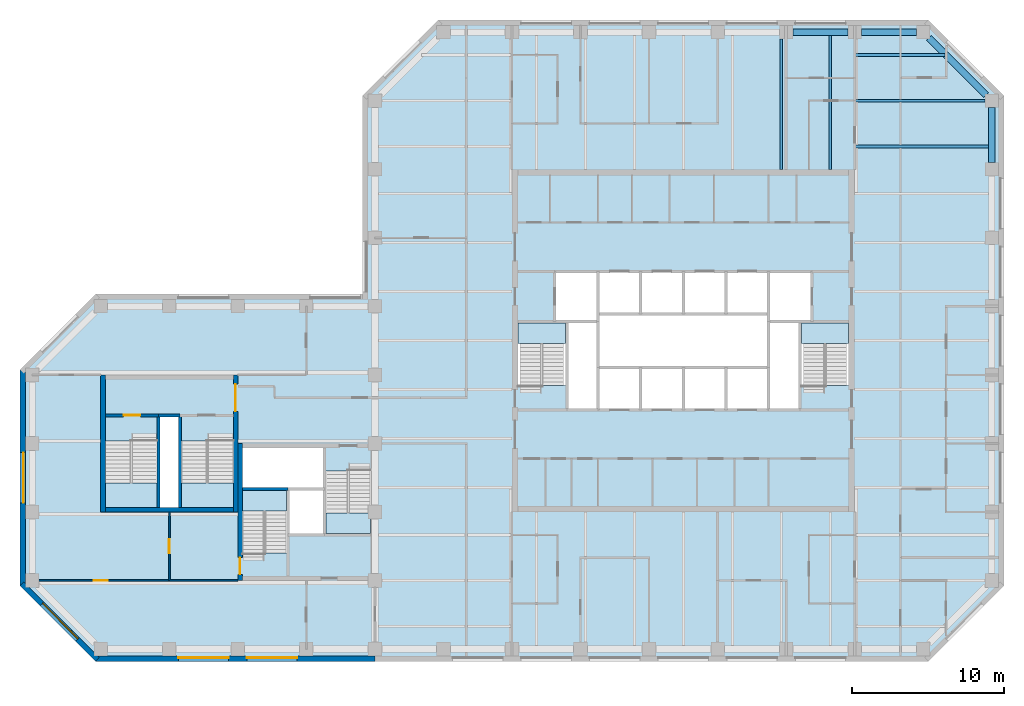
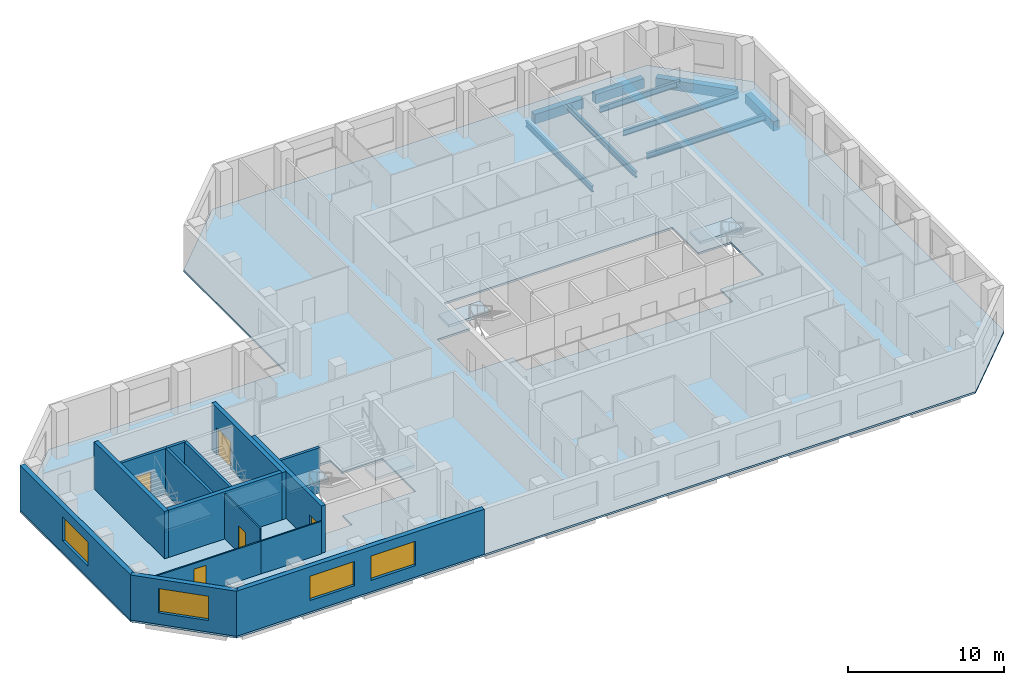
# One storey, part 2 of 9: 15 walls, 9 beams, 7 slabs, 5 doors, 4 windows, 9 openings, 6 elements without a shape of their own.
"""IFC4 building model written with IfcOpenShell, lengths in metres."""

from ifc_helpers import new_model, si_unit, direction, frame, frame_2d, origin, origin_2d, place, context, subcontext, project, spatial, polyline, rectangle, i_section, outline, extrude, material, layer, layer_set, constituent, constituent_set, material_profile, profile_set, type_object, element, fill, aggregate, save


model = new_model("IFC4")

# Units and contexts
model_context = context("Model", 3, precision=1e-05, world=origin(), true_north=direction((0.0, 1.0)))
body_context = subcontext(model_context, "Body", "Model", "MODEL_VIEW")
ifc_project = project(units=[si_unit("LENGTHUNIT", "METRE"), si_unit("AREAUNIT", "SQUARE_METRE"), si_unit("VOLUMEUNIT", "CUBIC_METRE"), si_unit("PLANEANGLEUNIT", "RADIAN"), si_unit("MASSUNIT", "GRAM", prefix="KILO")], contexts=[model_context])

# Site, building, storey
site_placement = place(None, origin())
site = spatial("IfcSite", under=ifc_project, at=site_placement, CompositionType="ELEMENT")
building_placement = place(site_placement, origin())
building = spatial("IfcBuilding", under=site, at=building_placement, Name="Quoin Convention Tower", CompositionType="ELEMENT")
storey_placement = place(building_placement, frame((0.0, 0.0, 166.199951171875)))
storey = spatial("IfcBuildingStorey", under=building, at=storey_placement, Name="L43", CompositionType="ELEMENT", Elevation=166.199951171875)

# Beams
ifc_material_1 = material(Name="Steel Grade 300", Category="steel")
ifc_material_profile_1 = material_profile(ifc_material_1, i_section(OverallWidth=0.18994140625, OverallDepth=0.4541015625, WebThickness=0.008544921875, FlangeThickness=0.0126953125, FilletRadius=0.011474609375, at=origin_2d()), Name="460UB67.1")
ifc_profile_set_1 = profile_set([ifc_material_profile_1], Name="Steel Grade 300")
beam_type_1 = type_object("IfcBeamType", Name="460UB67.1", PredefinedType="BEAM", material=ifc_profile_set_1)
beam_1_placement = place(storey_placement, frame((62.6787109375, 72.0, -0.376953125), z_axis=(0.0, 1.0, 0.0), x_axis=(-1.0, 0.0, 0.0)))
element("IfcBeam", 1, at=beam_1_placement, inside=storey, type_object=beam_type_1, Name="bm-L43-T1N5", PredefinedType="BEAM", context=body_context, shape_type="SweptSolid", body=[
    extrude(i_section(OverallWidth=0.18994140625, OverallDepth=0.4541015625, WebThickness=0.008544921875, FlangeThickness=0.0126953125, FilletRadius=0.011474609375, at=origin_2d()), origin(), (0.0, 0.0, 1.0), 8.550048828125),
])
beam_2_placement = place(storey_placement, frame((65.892822265625, 72.0, -0.376953125), z_axis=(0.0, 1.0, 0.0), x_axis=(-1.0, 0.0, 0.0)))
element("IfcBeam", 2, at=beam_2_placement, inside=storey, type_object=beam_type_1, Name="bm-L43-T1N6", PredefinedType="BEAM", context=body_context, shape_type="SweptSolid", body=[
    extrude(i_section(OverallWidth=0.18994140625, OverallDepth=0.4541015625, WebThickness=0.008544921875, FlangeThickness=0.0126953125, FilletRadius=0.011474609375, at=origin_2d()), origin(), (0.0, 0.0, 1.0), 8.77490234375),
])
beam_3_placement = place(storey_placement, frame((67.5, 79.5, -0.376953125), z_axis=(1.0, 0.0, 0.0), x_axis=(0.0, 1.0, 0.0)))
element("IfcBeam", 3, at=beam_3_placement, inside=storey, type_object=beam_type_1, Name="bm-L43-T1NE0", PredefinedType="BEAM", context=body_context, shape_type="SweptSolid", body=[
    extrude(i_section(OverallWidth=0.18994140625, OverallDepth=0.4541015625, WebThickness=0.008544921875, FlangeThickness=0.0126953125, FilletRadius=0.011474609375, at=origin_2d()), origin(), (0.0, 0.0, 1.0), 5.935791015625),
])
beam_4_placement = place(storey_placement, frame((67.5, 76.5, -0.376953125), z_axis=(1.0, 0.0, 0.0), x_axis=(0.0, 1.0, 0.0)))
element("IfcBeam", 4, at=beam_4_placement, inside=storey, type_object=beam_type_1, Name="bm-L43-T1NE1", PredefinedType="BEAM", context=body_context, shape_type="SweptSolid", body=[
    extrude(i_section(OverallWidth=0.18994140625, OverallDepth=0.4541015625, WebThickness=0.008544921875, FlangeThickness=0.0126953125, FilletRadius=0.011474609375, at=origin_2d()), origin(), (0.0, 0.0, 1.0), 8.550048828125),
])
beam_5_placement = place(storey_placement, frame((67.5, 73.5, -0.376953125), z_axis=(1.0, 0.0, 0.0), x_axis=(0.0, 1.0, 0.0)))
element("IfcBeam", 5, at=beam_5_placement, inside=storey, type_object=beam_type_1, Name="bm-L43-T1NE2", PredefinedType="BEAM", context=body_context, shape_type="SweptSolid", body=[
    extrude(i_section(OverallWidth=0.18994140625, OverallDepth=0.4541015625, WebThickness=0.008544921875, FlangeThickness=0.0126953125, FilletRadius=0.011474609375, at=origin_2d()), origin(), (0.0, 0.0, 1.0), 8.77490234375),
])
ifc_material_2 = material(Name="Concrete C50", Category="concrete")
ifc_material_profile_2 = material_profile(ifc_material_2, rectangle(XDim=0.449951171875, YDim=0.75, at=origin_2d()), Name="RC 450x750")
ifc_profile_set_2 = profile_set([ifc_material_profile_2], Name="Concrete C50")
beam_type_2 = type_object("IfcBeamType", Name="RC 450x750 C50", PredefinedType="SPANDREL", material=ifc_profile_set_2)
beam_6_placement = place(storey_placement, frame((76.5, 72.449951171875, -0.52490234375), z_axis=(0.0, 1.0, 0.0), x_axis=(-1.0, 0.0, 0.0)))
element("IfcBeam", 6, at=beam_6_placement, inside=storey, type_object=beam_type_2, Name="spd-L43-76500_72000-76500_76500", PredefinedType="SPANDREL", context=body_context, shape_type="SweptSolid", body=[
    extrude(rectangle(XDim=0.449951171875, YDim=0.75, at=origin_2d()), origin(), (0.0, 0.0, 1.0), 3.60009765625),
])
beam_7_placement = place(storey_placement, frame((76.135009765625, 76.864990234375, -0.52490234375), z_axis=(-0.707106781187, 0.707106781187, 0.0), x_axis=(-0.707106781187, -0.707106781187, 0.0)))
element("IfcBeam", 7, at=beam_7_placement, inside=storey, type_object=beam_type_2, Name="spd-L43-76500_76500-72000_81000", PredefinedType="SPANDREL", context=body_context, shape_type="SweptSolid", body=[
    extrude(rectangle(XDim=0.449951171875, YDim=0.75, at=origin_2d()), origin(), (0.0, 0.0, 1.0), 5.33154296875),
])
for number, where, z_axis, x_axis, name in (
    (8, (71.550048828125, 81.0, -0.52490234375), (-1.0, 0.0, 0.0), (0.0, -1.0, 0.0), "spd-L43-72000_81000-67500_81000"),
    (9, (67.050048828125, 81.0, -0.52490234375), (-1.0, 0.0, 0.0), (0.0, -1.0, 0.0), "spd-L43-67500_81000-63000_81000"),
):
    element("IfcBeam", number, at=place(storey_placement, frame(where, z_axis=z_axis, x_axis=x_axis)), inside=storey, type_object=beam_type_2, Name=name, PredefinedType="SPANDREL", context=body_context, shape_type="SweptSolid", body=[
        extrude(rectangle(XDim=0.449951171875, YDim=0.75, at=origin_2d()), origin(), (0.0, 0.0, 1.0), 3.60009765625),
    ])

# Slab
ifc_material_3 = material(Name="Concrete C40", Category="concrete")
ifc_layer_1 = layer(ifc_material_3, 0.14990234375)
ifc_layer_set_1 = layer_set([ifc_layer_1], Name="Concrete C40")
slab_type_1 = type_object("IfcSlabType", Name="COMPOSITE SLAB 150 C40", PredefinedType="FLOOR", material=ifc_layer_set_1)
slab_1_placement = place(storey_placement, frame((0.0, 0.0, -0.14990234375)))
element("IfcSlab", 10, at=slab_1_placement, inside=storey, type_object=slab_type_1, Name="slb-L43", PredefinedType="FLOOR", context=body_context, shape_type="SweptSolid", body=[
    extrude(outline(polyline([(17.668701171875, 39.699951171875), (12.699951171875, 44.668701171875), (12.699951171875, 58.831298828125), (17.668701171875, 63.800048828125), (35.199951171875, 63.800048828125), (35.199951171875, 76.831298828125), (40.168701171875, 81.800048828125), (72.331298828125, 81.800048828125), (77.300048828125, 76.831298828125), (77.300048828125, 44.668701171875), (72.331298828125, 39.699951171875), (17.668701171875, 39.699951171875)]), holes=[polyline([(27.300048828125, 51.0), (27.300048828125, 46.800537109375), (30.300048828125, 46.800537109375), (30.300048828125, 48.0), (32.699951171875, 48.0), (35.699951171875, 48.0), (35.699951171875, 52.199462890625), (32.699951171875, 52.199462890625), (32.699951171875, 53.699951171875), (27.300048828125, 53.699951171875), (27.300048828125, 51.0)]), polyline([(18.300048828125, 49.800048828125), (21.800048828125, 49.800048828125), (23.199951171875, 49.800048828125), (26.699951171875, 49.800048828125), (26.699951171875, 54.1494140625), (23.199951171875, 54.1494140625), (23.199951171875, 55.85009765625), (21.800048828125, 55.85009765625), (21.800048828125, 54.1494140625), (18.300048828125, 54.1494140625), (18.300048828125, 49.800048828125)]), polyline([(48.60009765625, 56.199951171875), (50.64990234375, 56.199951171875), (53.449951171875, 56.199951171875), (56.25, 56.199951171875), (59.050048828125, 56.199951171875), (61.85009765625, 56.199951171875), (63.89990234375, 56.199951171875), (63.89990234375, 57.800537109375), (67.10009765625, 57.800537109375), (67.10009765625, 62.0), (64.699951171875, 62.0), (64.699951171875, 65.300048828125), (61.85009765625, 65.300048828125), (59.050048828125, 65.300048828125), (56.25, 65.300048828125), (53.449951171875, 65.300048828125), (50.64990234375, 65.300048828125), (47.800048828125, 65.300048828125), (47.800048828125, 62.0), (45.39990234375, 62.0), (45.39990234375, 57.800537109375), (48.60009765625, 57.800537109375), (48.60009765625, 56.199951171875)])]), origin(), (0.0, 0.0, 1.0), 0.14990234375),
])

# Stair, slab
stair_type_1 = type_object("IfcStairType", Name="Exit stair two-flight 1350", PredefinedType="HALF_TURN_STAIR", material=ifc_material_3)
stair_1_placement = place(storey_placement, origin())
stair_1 = element("IfcStair", 11, at=stair_1_placement, inside=storey, type_object=stair_type_1, Name="SD1 L43", PredefinedType="HALF_TURN_STAIR")
ifc_layer_2 = layer(ifc_material_3, 0.199951171875)
ifc_layer_set_2 = layer_set([ifc_layer_2], Name="Concrete C40")
slab_type_2 = type_object("IfcSlabType", Name="Stair landing 200", PredefinedType="LANDING", material=ifc_layer_set_2)
slab_2_placement = place(storey_placement, frame((0.0, 0.0, 1.792236328125)))
slab_2 = element("IfcSlab", 12, at=slab_2_placement, type_object=slab_type_2, Name="ST1 landing 1", PredefinedType="LANDING", context=body_context, shape_type="SweptSolid", body=[
    extrude(outline(polyline([(45.39990234375, 60.550048828125), (48.5, 60.550048828125), (48.5, 61.89990234375), (45.39990234375, 61.89990234375), (45.39990234375, 60.550048828125)])), origin(), (0.0, 0.0, 1.0), 0.2001953125),
])
aggregate(stair_1, [slab_2])

stair_2_placement = place(storey_placement, origin())
stair_2 = element("IfcStair", 13, at=stair_2_placement, inside=storey, type_object=stair_type_1, Name="SD2 L43", PredefinedType="HALF_TURN_STAIR")
slab_3_placement = place(storey_placement, frame((0.0, 0.0, 1.792236328125)))
slab_3 = element("IfcSlab", 14, at=slab_3_placement, type_object=slab_type_2, Name="ST2 landing 1", PredefinedType="LANDING", context=body_context, shape_type="SweptSolid", body=[
    extrude(outline(polyline([(64.0, 60.550048828125), (67.10009765625, 60.550048828125), (67.10009765625, 61.89990234375), (64.0, 61.89990234375), (64.0, 60.550048828125)])), origin(), (0.0, 0.0, 1.0), 0.2001953125),
])
aggregate(stair_2, [slab_3])

stair_3_placement = place(storey_placement, origin())
stair_3 = element("IfcStair", 15, at=stair_3_placement, inside=storey, type_object=stair_type_1, Name="SD3 L43", PredefinedType="HALF_TURN_STAIR")
slab_4_placement = place(storey_placement, frame((0.0, 0.0, 1.792236328125)))
slab_4 = element("IfcSlab", 16, at=slab_4_placement, type_object=slab_type_2, Name="ST3 landing 1", PredefinedType="LANDING", context=body_context, shape_type="SweptSolid", body=[
    extrude(outline(polyline([(27.300048828125, 49.550048828125), (30.199951171875, 49.550048828125), (30.199951171875, 50.89990234375), (27.300048828125, 50.89990234375), (27.300048828125, 49.550048828125)])), origin(), (0.0, 0.0, 1.0), 0.2001953125),
])
aggregate(stair_3, [slab_4])

stair_4_placement = place(storey_placement, origin())
stair_4 = element("IfcStair", 17, at=stair_4_placement, inside=storey, type_object=stair_type_1, Name="SD4 L43", PredefinedType="HALF_TURN_STAIR")
slab_5_placement = place(storey_placement, frame((0.0, 0.0, 1.792236328125)))
slab_5 = element("IfcSlab", 18, at=slab_5_placement, type_object=slab_type_2, Name="ST4 landing 1", PredefinedType="LANDING", context=body_context, shape_type="SweptSolid", body=[
    extrude(outline(polyline([(35.699951171875, 49.449951171875), (32.800048828125, 49.449951171875), (32.800048828125, 48.10009765625), (35.699951171875, 48.10009765625), (35.699951171875, 49.449951171875)])), origin(), (0.0, 0.0, 1.0), 0.2001953125),
])
aggregate(stair_4, [slab_5])

stair_type_2 = type_object("IfcStairType", Name="Exit stair two-flight 1600", PredefinedType="HALF_TURN_STAIR", material=ifc_material_3)
stair_5_placement = place(storey_placement, origin())
stair_5 = element("IfcStair", 19, at=stair_5_placement, inside=storey, type_object=stair_type_2, Name="SD11 L43", PredefinedType="HALF_TURN_STAIR")
slab_6_placement = place(storey_placement, frame((0.0, 0.0, 1.792236328125)))
slab_6 = element("IfcSlab", 20, at=slab_6_placement, type_object=slab_type_2, Name="ST11 landing 1", PredefinedType="LANDING", context=body_context, shape_type="SweptSolid", body=[
    extrude(outline(polyline([(21.699951171875, 51.39990234375), (18.300048828125, 51.39990234375), (18.300048828125, 49.800048828125), (21.699951171875, 49.800048828125), (21.699951171875, 51.39990234375)])), origin(), (0.0, 0.0, 1.0), 0.2001953125),
])
aggregate(stair_5, [slab_6])

stair_6_placement = place(storey_placement, origin())
stair_6 = element("IfcStair", 21, at=stair_6_placement, inside=storey, type_object=stair_type_2, Name="SD12 L43", PredefinedType="HALF_TURN_STAIR")
slab_7_placement = place(storey_placement, frame((0.0, 0.0, 1.792236328125)))
slab_7 = element("IfcSlab", 22, at=slab_7_placement, type_object=slab_type_2, Name="ST12 landing 1", PredefinedType="LANDING", context=body_context, shape_type="SweptSolid", body=[
    extrude(outline(polyline([(26.699951171875, 51.39990234375), (23.300048828125, 51.39990234375), (23.300048828125, 49.800048828125), (26.699951171875, 49.800048828125), (26.699951171875, 51.39990234375)])), origin(), (0.0, 0.0, 1.0), 0.2001953125),
])
aggregate(stair_6, [slab_7])

# Wall, opening, window
ifc_material_4 = material(Name="Brick masonry", Category="masonry")
ifc_layer_3 = layer(ifc_material_4, 0.35009765625)
ifc_layer_set_3 = layer_set([ifc_layer_3], Name="Brick masonry")
wall_type_1 = type_object("IfcWallType", Name="Brick facade wall", PredefinedType="STANDARD", material=ifc_layer_set_3)
wall_1_placement = place(storey_placement, frame((12.875, 58.831298828125, 0.0), z_axis=(0.0, 0.0, 1.0), x_axis=(0.0, -1.0, 0.0)))
wall_1 = element("IfcWall", 23, at=wall_1_placement, inside=storey, type_object=wall_type_1, Name="fw-L43-13500_58500", PredefinedType="STANDARD", context=body_context, shape_type="SweptSolid", body=[
    extrude(rectangle(XDim=14.16259765625, YDim=0.35009765625, at=frame_2d((7.081298828125, 0.0))), origin(), (0.0, 0.0, 1.0), 3.525146484375),
])
opening_1_placement = place(wall_1_placement, frame((5.431396484375, 0.0, 0.89990234375)))
opening_1 = element("IfcOpeningElement", 24, at=opening_1_placement, cuts=wall_1, Name="Opening W-02", PredefinedType="OPENING", context=body_context, shape_type="SweptSolid", body=[
    extrude(rectangle(XDim=3.300048828125, YDim=1.89990234375, at=frame_2d((1.64990234375, 0.949951171875))), frame((0.0, 0.18505859375, 0.0), z_axis=(0.0, -1.0, 0.0), x_axis=(1.0, 0.0, 0.0)), (0.0, 0.0, 1.0), 0.3701171875),
])
ifc_material_5 = material(Name="Aluminium", Category="aluminium")
ifc_constituent_1 = constituent(ifc_material_5, Name="Frame")
ifc_material_6 = material(Name="Insulated glass", Category="glass")
ifc_constituent_2 = constituent(ifc_material_6, Name="Glazing")
ifc_constituent_set = constituent_set(constituents=[ifc_constituent_1, ifc_constituent_2], Name="Aluminium")
window_type = type_object("IfcWindowType", Name="Office window", PartitioningType="DOUBLE_PANEL_VERTICAL", PredefinedType="WINDOW", material=ifc_constituent_set)
window_1_placement = place(opening_1_placement, origin())
window_1 = element("IfcWindow", 25, at=window_1_placement, inside=storey, type_object=window_type, Name="win-L43-12875_51750", OverallHeight=1.89990234375, OverallWidth=3.300048828125, PartitioningType="SINGLE_PANEL", PredefinedType="WINDOW", context=body_context, shape_type="SweptSolid", body=[
    extrude(rectangle(XDim=3.300048828125, YDim=1.89990234375, at=frame_2d((1.64990234375, 0.949951171875))), frame((0.0, 0.0849609375, 0.0), z_axis=(0.0, -1.0, 0.0), x_axis=(1.0, 0.0, 0.0)), (0.0, 0.0, 1.0), 0.06005859375),
])
fill(opening_1, window_1)

wall_2_placement = place(storey_placement, frame((12.82373046875, 44.79248046875, 0.0), z_axis=(0.0, 0.0, 1.0), x_axis=(0.707106781187, -0.707106781187, 0.0)))
wall_2 = element("IfcWall", 26, at=wall_2_placement, inside=storey, type_object=wall_type_1, Name="fw-L43-13500_45000", PredefinedType="STANDARD", context=body_context, shape_type="SweptSolid", body=[
    extrude(rectangle(XDim=7.02685546875, YDim=0.35009765625, at=frame_2d((3.513427734375, 0.0))), origin(), (0.0, 0.0, 1.0), 3.525146484375),
])
opening_2_placement = place(wall_2_placement, frame((1.86328125, 0.0, 0.89990234375)))
opening_2 = element("IfcOpeningElement", 27, at=opening_2_placement, cuts=wall_2, Name="Opening W-02", PredefinedType="OPENING", context=body_context, shape_type="SweptSolid", body=[
    extrude(rectangle(XDim=3.300048828125, YDim=1.89990234375, at=frame_2d((1.64990234375, 0.949951171875))), frame((0.0, 0.18505859375, 0.0), z_axis=(0.0, -1.0, 0.0), x_axis=(1.0, 0.0, 0.0)), (0.0, 0.0, 1.0), 0.3701171875),
])
window_2_placement = place(opening_2_placement, origin())
window_2 = element("IfcWindow", 28, at=window_2_placement, inside=storey, type_object=window_type, Name="win-L43-15308_42308", OverallHeight=1.89990234375, OverallWidth=3.300048828125, PartitioningType="SINGLE_PANEL", PredefinedType="WINDOW", context=body_context, shape_type="SweptSolid", body=[
    extrude(rectangle(XDim=3.300048828125, YDim=1.89990234375, at=frame_2d((1.64990234375, 0.949951171875))), frame((0.0, 0.0849609375, 0.0), z_axis=(0.0, -1.0, 0.0), x_axis=(1.0, 0.0, 0.0)), (0.0, 0.0, 1.0), 0.06005859375),
])
fill(opening_2, window_2)

# Wall, openings, windows
wall_3_placement = place(storey_placement, frame((17.668701171875, 39.875, 0.0), z_axis=(0.0, 0.0, 1.0), x_axis=(1.0, 0.0, 0.0)))
wall_3 = element("IfcWall", 29, at=wall_3_placement, inside=storey, type_object=wall_type_1, Name="fw-L43-18000_40500", PredefinedType="STANDARD", context=body_context, shape_type="SweptSolid", body=[
    extrude(rectangle(XDim=18.331298828125, YDim=0.35009765625, at=frame_2d((9.16552734375, 0.0))), origin(), (0.0, 0.0, 1.0), 3.525146484375),
])
opening_3_placement = place(wall_3_placement, frame((5.431396484375, 0.0, 0.89990234375)))
opening_3 = element("IfcOpeningElement", 30, at=opening_3_placement, cuts=wall_3, Name="Opening W-02", PredefinedType="OPENING", context=body_context, shape_type="SweptSolid", body=[
    extrude(rectangle(XDim=3.300048828125, YDim=1.89990234375, at=frame_2d((1.64990234375, 0.949951171875))), frame((0.0, 0.18505859375, 0.0), z_axis=(0.0, -1.0, 0.0), x_axis=(1.0, 0.0, 0.0)), (0.0, 0.0, 1.0), 0.3701171875),
])
opening_4_placement = place(wall_3_placement, frame((9.931396484375, 0.0, 0.89990234375)))
opening_4 = element("IfcOpeningElement", 31, at=opening_4_placement, cuts=wall_3, Name="Opening W-02", PredefinedType="OPENING", context=body_context, shape_type="SweptSolid", body=[
    extrude(rectangle(XDim=3.300048828125, YDim=1.89990234375, at=frame_2d((1.64990234375, 0.949951171875))), frame((0.0, 0.18505859375, 0.0), z_axis=(0.0, -1.0, 0.0), x_axis=(1.0, 0.0, 0.0)), (0.0, 0.0, 1.0), 0.3701171875),
])
window_3_placement = place(opening_3_placement, origin())
window_3 = element("IfcWindow", 32, at=window_3_placement, inside=storey, type_object=window_type, Name="win-L43-24750_39875", OverallHeight=1.89990234375, OverallWidth=3.300048828125, PartitioningType="SINGLE_PANEL", PredefinedType="WINDOW", context=body_context, shape_type="SweptSolid", body=[
    extrude(rectangle(XDim=3.300048828125, YDim=1.89990234375, at=frame_2d((1.64990234375, 0.949951171875))), frame((0.0, 0.0849609375, 0.0), z_axis=(0.0, -1.0, 0.0), x_axis=(1.0, 0.0, 0.0)), (0.0, 0.0, 1.0), 0.06005859375),
])
fill(opening_3, window_3)
window_4_placement = place(opening_4_placement, origin())
window_4 = element("IfcWindow", 33, at=window_4_placement, inside=storey, type_object=window_type, Name="win-L43-29250_39875", OverallHeight=1.89990234375, OverallWidth=3.300048828125, PartitioningType="SINGLE_PANEL", PredefinedType="WINDOW", context=body_context, shape_type="SweptSolid", body=[
    extrude(rectangle(XDim=3.300048828125, YDim=1.89990234375, at=frame_2d((1.64990234375, 0.949951171875))), frame((0.0, 0.0849609375, 0.0), z_axis=(0.0, -1.0, 0.0), x_axis=(1.0, 0.0, 0.0)), (0.0, 0.0, 1.0), 0.06005859375),
])
fill(opening_4, window_4)

# Walls
ifc_layer_4 = layer(ifc_material_2, 0.199951171875)
ifc_layer_set_4 = layer_set([ifc_layer_4], Name="Concrete C50")
wall_type_2 = type_object("IfcWallType", Name="Core shaft wall", PredefinedType="SOLIDWALL", material=ifc_layer_set_4)
wall_4_placement = place(storey_placement, frame((27.300048828125, 51.0, 0.0), z_axis=(0.0, 0.0, 1.0), x_axis=(1.0, 0.0, 0.0)))
element("IfcWall", 34, at=wall_4_placement, inside=storey, type_object=wall_type_2, Name="cr-P2-L43-h6000_300", PredefinedType="SOLIDWALL", context=body_context, shape_type="SweptSolid", body=[
    extrude(rectangle(XDim=3.0, YDim=0.199951171875, at=frame_2d((1.5, 0.0))), origin(), (0.0, 0.0, 1.0), 3.550048828125),
])
wall_5_placement = place(storey_placement, frame((21.800048828125, 55.85009765625, 0.0), z_axis=(0.0, 0.0, 1.0), x_axis=(1.0, 0.0, 0.0)))
element("IfcWall", 35, at=wall_5_placement, inside=storey, type_object=wall_type_2, Name="cr-P6-L43-h6350_3800", PredefinedType="SOLIDWALL", context=body_context, shape_type="SweptSolid", body=[
    extrude(rectangle(XDim=1.39990234375, YDim=0.199951171875, at=frame_2d((0.699951171875, 0.0))), origin(), (0.0, 0.0, 1.0), 3.550048828125),
])

# Wall, opening, door
wall_6_placement = place(storey_placement, frame((18.300048828125, 55.85009765625, 0.0), z_axis=(0.0, 0.0, 1.0), x_axis=(1.0, 0.0, 0.0)))
wall_6 = element("IfcWall", 36, at=wall_6_placement, inside=storey, type_object=wall_type_2, Name="cr-P6-L43-h6350_300", PredefinedType="SOLIDWALL", context=body_context, shape_type="SweptSolid", body=[
    extrude(rectangle(XDim=3.5, YDim=0.199951171875, at=frame_2d((1.75, 0.0))), origin(), (0.0, 0.0, 1.0), 3.550048828125),
])
opening_5_placement = place(wall_6_placement, frame((1.199951171875, 0.0, 0.0)))
opening_5 = element("IfcOpeningElement", 37, at=opening_5_placement, cuts=wall_6, Name="Opening SD11", PredefinedType="OPENING", context=body_context, shape_type="SweptSolid", body=[
    extrude(rectangle(XDim=1.10009765625, YDim=2.10009765625, at=frame_2d((0.550048828125, 1.050048828125))), frame((0.0, 0.10986328125, 0.0), z_axis=(0.0, -1.0, 0.0), x_axis=(1.0, 0.0, 0.0)), (0.0, 0.0, 1.0), 0.219970703125),
])
ifc_material_7 = material(Name="Steel door leaf", Category="steel")
door_type_1 = type_object("IfcDoorType", Name="Stair door 1100 x 2100", OperationType="SINGLE_SWING_RIGHT", PredefinedType="DOOR", material=ifc_material_7)
door_1_placement = place(opening_5_placement, origin())
door_1 = element("IfcDoor", 38, at=door_1_placement, inside=storey, type_object=door_type_1, Name="cd-P6-L43-SA-R2-SD11", OperationType="SINGLE_SWING_RIGHT", OverallHeight=2.10009765625, OverallWidth=1.10009765625, PredefinedType="DOOR", context=body_context, shape_type="SweptSolid", body=[
    extrude(rectangle(XDim=1.10009765625, YDim=2.10009765625, at=frame_2d((0.550048828125, 1.050048828125))), frame((0.0, 0.02490234375, 0.0), z_axis=(0.0, -1.0, 0.0), x_axis=(1.0, 0.0, 0.0)), (0.0, 0.0, 1.0), 0.050048828125),
])
fill(opening_5, door_1)

# Walls
for number, where, z_axis, x_axis, name in (
    (39, (21.800048828125, 49.800048828125, 0.0), (0.0, 0.0, 1.0), (0.0, 1.0, 0.0), "cr-P6-L43-v3800_300"),
    (40, (23.199951171875, 49.800048828125, 0.0), (0.0, 0.0, 1.0), (0.0, 1.0, 0.0), "cr-P6-L43-v5200_300"),
):
    element("IfcWall", number, at=place(storey_placement, frame(where, z_axis=z_axis, x_axis=x_axis)), inside=storey, type_object=wall_type_2, Name=name, PredefinedType="SOLIDWALL", context=body_context, shape_type="SweptSolid", body=[
        extrude(rectangle(XDim=6.050048828125, YDim=0.199951171875, at=frame_2d((3.02490234375, 0.0))), origin(), (0.0, 0.0, 1.0), 3.550048828125),
    ])

# Wall, opening, door
ifc_layer_5 = layer(ifc_material_2, 0.300048828125)
ifc_layer_set_5 = layer_set([ifc_layer_5], Name="Concrete C50")
wall_type_3 = type_object("IfcWallType", Name="RC CORE WALL 300 C50", PredefinedType="SHEAR", material=ifc_layer_set_5)
wall_7_placement = place(storey_placement, frame((27.14990234375, 45.0, 0.0), z_axis=(0.0, 0.0, 1.0), x_axis=(0.0, 1.0, 0.0)))
wall_7 = element("IfcWall", 41, at=wall_7_placement, inside=storey, type_object=wall_type_3, Name="cwl-P2-L43-W", PredefinedType="SHEAR", context=body_context, shape_type="SweptSolid", body=[
    extrude(rectangle(XDim=9.0, YDim=0.300048828125, at=frame_2d((4.5, 0.0))), origin(), (0.0, 0.0, 1.0), 3.699951171875),
])
opening_6_placement = place(wall_7_placement, frame((0.39990234375, 0.0, 0.0)))
opening_6 = element("IfcOpeningElement", 42, at=opening_6_placement, cuts=wall_7, Name="Opening SD3", PredefinedType="OPENING", context=body_context, shape_type="SweptSolid", body=[
    extrude(rectangle(XDim=1.10009765625, YDim=2.10009765625, at=frame_2d((0.550048828125, 1.050048828125))), frame((0.0, 0.159912109375, 0.0), z_axis=(0.0, -1.0, 0.0), x_axis=(1.0, 0.0, 0.0)), (0.0, 0.0, 1.0), 0.320068359375),
])
door_2_placement = place(opening_6_placement, frame((1.10009765625, 0.0, 0.0), z_axis=(0.0, 0.0, 1.0), x_axis=(-1.0, 0.0, 0.0)))
door_2 = element("IfcDoor", 43, at=door_2_placement, inside=storey, type_object=door_type_1, Name="cd-P2-L43-SA-W", OperationType="SINGLE_SWING_RIGHT", OverallHeight=2.10009765625, OverallWidth=1.10009765625, PredefinedType="DOOR", context=body_context, shape_type="SweptSolid", body=[
    extrude(rectangle(XDim=1.10009765625, YDim=2.10009765625, at=frame_2d((0.550048828125, 1.050048828125))), frame((0.0, 0.02490234375, 0.0), z_axis=(0.0, -1.0, 0.0), x_axis=(1.0, 0.0, 0.0)), (0.0, 0.0, 1.0), 0.050048828125),
])
fill(opening_6, door_2)

# Walls
wall_8_placement = place(storey_placement, frame((18.300048828125, 49.64990234375, 0.0), z_axis=(0.0, 0.0, 1.0), x_axis=(1.0, 0.0, 0.0)))
element("IfcWall", 44, at=wall_8_placement, inside=storey, type_object=wall_type_3, Name="cwl-P6-L43-S", PredefinedType="SHEAR", context=body_context, shape_type="SweptSolid", body=[
    extrude(rectangle(XDim=8.39990234375, YDim=0.300048828125, at=frame_2d((4.199951171875, 0.0))), origin(), (0.0, 0.0, 1.0), 3.699951171875),
])
wall_9_placement = place(storey_placement, frame((18.14990234375, 49.5, 0.0), z_axis=(0.0, 0.0, 1.0), x_axis=(0.0, 1.0, 0.0)))
element("IfcWall", 45, at=wall_9_placement, inside=storey, type_object=wall_type_3, Name="cwl-P6-L43-W", PredefinedType="SHEAR", context=body_context, shape_type="SweptSolid", body=[
    extrude(rectangle(XDim=9.0, YDim=0.300048828125, at=frame_2d((4.5, 0.0))), origin(), (0.0, 0.0, 1.0), 3.699951171875),
])

# Wall, opening, door
wall_10_placement = place(storey_placement, frame((26.85009765625, 49.5, 0.0), z_axis=(0.0, 0.0, 1.0), x_axis=(0.0, 1.0, 0.0)))
wall_10 = element("IfcWall", 46, at=wall_10_placement, inside=storey, type_object=wall_type_3, Name="cwl-P6-L43-E", PredefinedType="SHEAR", context=body_context, shape_type="SweptSolid", body=[
    extrude(rectangle(XDim=9.0, YDim=0.300048828125, at=frame_2d((4.5, 0.0))), origin(), (0.0, 0.0, 1.0), 3.699951171875),
])
opening_7_placement = place(wall_10_placement, frame((6.60009765625, 0.0, 0.0)))
opening_7 = element("IfcOpeningElement", 47, at=opening_7_placement, cuts=wall_10, Name="Opening DCV3-44", PredefinedType="OPENING", context=body_context, shape_type="SweptSolid", body=[
    extrude(rectangle(XDim=1.800048828125, YDim=2.10009765625, at=frame_2d((0.89990234375, 1.050048828125))), frame((0.0, 0.159912109375, 0.0), z_axis=(0.0, -1.0, 0.0), x_axis=(1.0, 0.0, 0.0)), (0.0, 0.0, 1.0), 0.320068359375),
])
door_type_2 = type_object("IfcDoorType", Name="Goods lobby door 1800 x 2100", OperationType="SINGLE_SWING_LEFT", PredefinedType="DOOR", material=ifc_material_7)
door_3_placement = place(opening_7_placement, origin())
door_3 = element("IfcDoor", 48, at=door_3_placement, inside=storey, type_object=door_type_2, Name="cd-P6-L43-R2-E", OperationType="SINGLE_SWING_LEFT", OverallHeight=2.10009765625, OverallWidth=1.800048828125, PredefinedType="DOOR", context=body_context, shape_type="SweptSolid", body=[
    extrude(rectangle(XDim=1.800048828125, YDim=2.10009765625, at=frame_2d((0.89990234375, 1.050048828125))), frame((0.0, 0.02490234375, 0.0), z_axis=(0.0, -1.0, 0.0), x_axis=(1.0, 0.0, 0.0)), (0.0, 0.0, 1.0), 0.050048828125),
])
fill(opening_7, door_3)

ifc_material_8 = material(Name="Plasterboard")
ifc_layer_6 = layer(ifc_material_8, 0.012451171875, Name="Finish")
ifc_material_9 = material(Name="Steel stud framing", Category="steel")
ifc_layer_7 = layer(ifc_material_9, 0.074951171875, Name="Structure")
ifc_layer_8 = layer(ifc_material_8, 0.012451171875, Name="Finish")
ifc_layer_set_6 = layer_set([ifc_layer_6, ifc_layer_7, ifc_layer_8], Name="Steel stud framing")
wall_type_4 = type_object("IfcWallType", Name="Stud partition 100", PredefinedType="PARTITIONING", material=ifc_layer_set_6)
wall_11_placement = place(storey_placement, frame((22.5, 49.5, 0.0), z_axis=(0.0, 0.0, 1.0), x_axis=(0.0, -1.0, 0.0)))
wall_11 = element("IfcWall", 49, at=wall_11_placement, inside=storey, type_object=wall_type_4, Name="pw-L43-w06", PredefinedType="PARTITIONING", context=body_context, shape_type="SweptSolid", body=[
    extrude(rectangle(XDim=4.5, YDim=0.10009765625, at=frame_2d((2.25, 0.0))), origin(), (0.0, 0.0, 1.0), 3.550048828125),
])
opening_8_placement = place(wall_11_placement, frame((1.800048828125, 0.0, 0.0)))
opening_8 = element("IfcOpeningElement", 50, at=opening_8_placement, cuts=wall_11, Name="Opening DOH3-28", PredefinedType="OPENING", context=body_context, shape_type="SweptSolid", body=[
    extrude(rectangle(XDim=0.89990234375, YDim=2.10009765625, at=frame_2d((0.449951171875, 1.050048828125))), frame((0.0, 0.06005859375, 0.0), z_axis=(0.0, -1.0, 0.0), x_axis=(1.0, 0.0, 0.0)), (0.0, 0.0, 1.0), 0.1201171875),
])
door_type_3 = type_object("IfcDoorType", Name="Office door 900 x 2100", OperationType="SINGLE_SWING_RIGHT", PredefinedType="DOOR", material=ifc_material_7)
door_4_placement = place(opening_8_placement, frame((0.89990234375, 0.0, 0.0), z_axis=(0.0, 0.0, 1.0), x_axis=(-1.0, 0.0, 0.0)))
door_4 = element("IfcDoor", 51, at=door_4_placement, inside=storey, type_object=door_type_3, Name="dr-L43-w06", OperationType="SINGLE_SWING_LEFT", OverallHeight=2.10009765625, OverallWidth=0.89990234375, PredefinedType="DOOR", context=body_context, shape_type="SweptSolid", body=[
    extrude(rectangle(XDim=0.89990234375, YDim=2.10009765625, at=frame_2d((0.449951171875, 1.050048828125))), frame((0.0, 0.02490234375, 0.0), z_axis=(0.0, -1.0, 0.0), x_axis=(1.0, 0.0, 0.0)), (0.0, 0.0, 1.0), 0.050048828125),
])
fill(opening_8, door_4)

ifc_layer_9 = layer(ifc_material_8, 0.012451171875, Name="Finish")
ifc_layer_10 = layer(ifc_material_9, 0.074951171875, Name="Structure")
ifc_layer_11 = layer(ifc_material_8, 0.012451171875, Name="Finish")
ifc_layer_set_7 = layer_set([ifc_layer_9, ifc_layer_10, ifc_layer_11], Name="Steel stud framing")
wall_type_5 = type_object("IfcWallType", Name="Stud partition 100 under beam 1000", PredefinedType="PARTITIONING", material=ifc_layer_set_7)
wall_12_placement = place(storey_placement, frame((22.5, 45.0, 0.0), z_axis=(0.0, 0.0, 1.0), x_axis=(-1.0, 0.0, 0.0)))
wall_12 = element("IfcWall", 52, at=wall_12_placement, inside=storey, type_object=wall_type_5, Name="pw-L43-w05", PredefinedType="PARTITIONING", context=body_context, shape_type="SweptSolid", body=[
    extrude(rectangle(XDim=9.0, YDim=0.10009765625, at=frame_2d((4.5, 0.0))), origin(), (0.0, 0.0, 1.0), 2.550048828125),
])
opening_9_placement = place(wall_12_placement, frame((4.050048828125, 0.0, 0.0)))
opening_9 = element("IfcOpeningElement", 53, at=opening_9_placement, cuts=wall_12, Name="Opening DOH3-27", PredefinedType="OPENING", context=body_context, shape_type="SweptSolid", body=[
    extrude(rectangle(XDim=0.89990234375, YDim=2.10009765625, at=frame_2d((0.449951171875, 1.050048828125))), frame((0.0, 0.06005859375, 0.0), z_axis=(0.0, -1.0, 0.0), x_axis=(1.0, 0.0, 0.0)), (0.0, 0.0, 1.0), 0.1201171875),
])
door_5_placement = place(opening_9_placement, frame((0.89990234375, 0.0, 0.0), z_axis=(0.0, 0.0, 1.0), x_axis=(-1.0, 0.0, 0.0)))
door_5 = element("IfcDoor", 54, at=door_5_placement, inside=storey, type_object=door_type_3, Name="dr-L43-w05", OperationType="SINGLE_SWING_RIGHT", OverallHeight=2.10009765625, OverallWidth=0.89990234375, PredefinedType="DOOR", context=body_context, shape_type="SweptSolid", body=[
    extrude(rectangle(XDim=0.89990234375, YDim=2.10009765625, at=frame_2d((0.449951171875, 1.050048828125))), frame((0.0, 0.02490234375, 0.0), z_axis=(0.0, -1.0, 0.0), x_axis=(1.0, 0.0, 0.0)), (0.0, 0.0, 1.0), 0.050048828125),
])
fill(opening_9, door_5)

# Wall
wall_13_placement = place(storey_placement, frame((22.5, 45.0, 0.0), z_axis=(0.0, 0.0, 1.0), x_axis=(1.0, 0.0, 0.0)))
element("IfcWall", 55, at=wall_13_placement, inside=storey, type_object=wall_type_5, Name="pw-L43-w07", PredefinedType="PARTITIONING", context=body_context, shape_type="SweptSolid", body=[
    extrude(rectangle(XDim=4.5, YDim=0.10009765625, at=frame_2d((2.25, 0.0))), origin(), (0.0, 0.0, 1.0), 2.550048828125),
])

save(model, "model.ifc")
